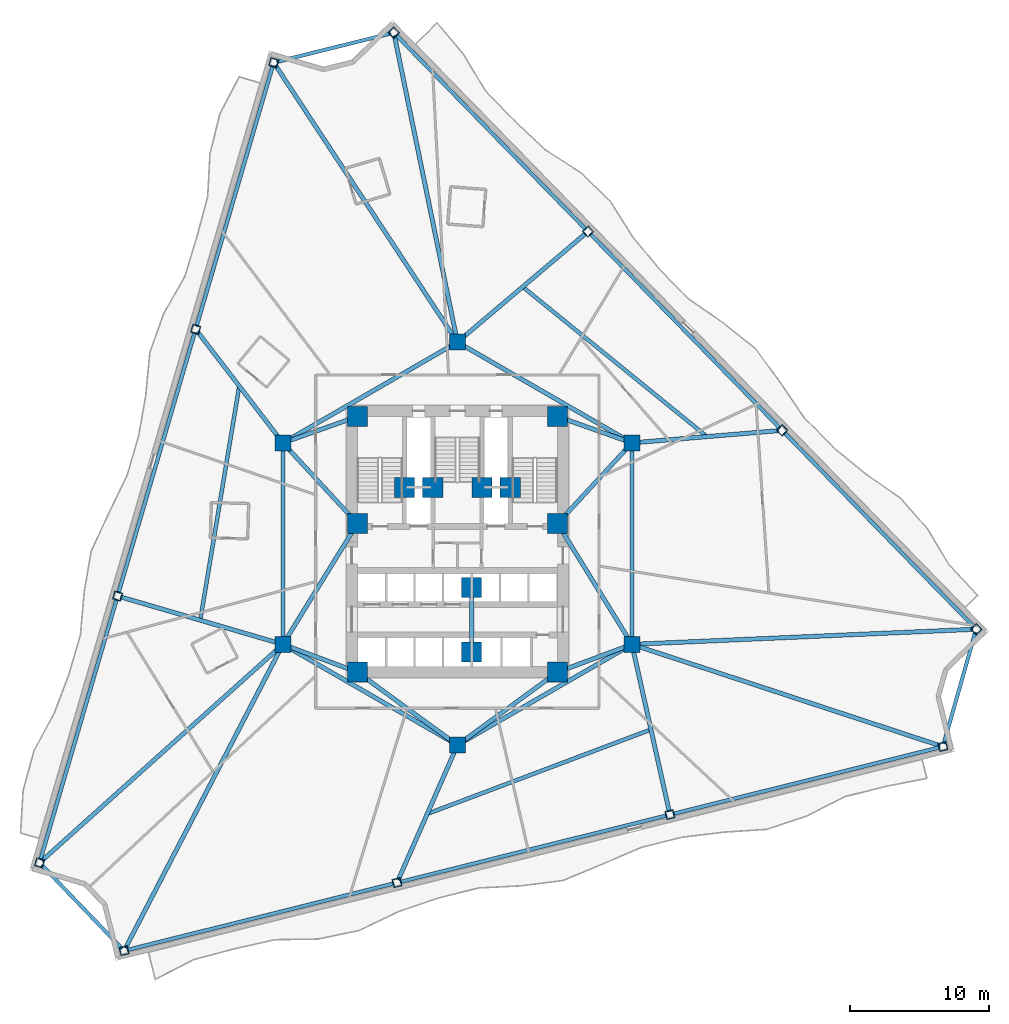
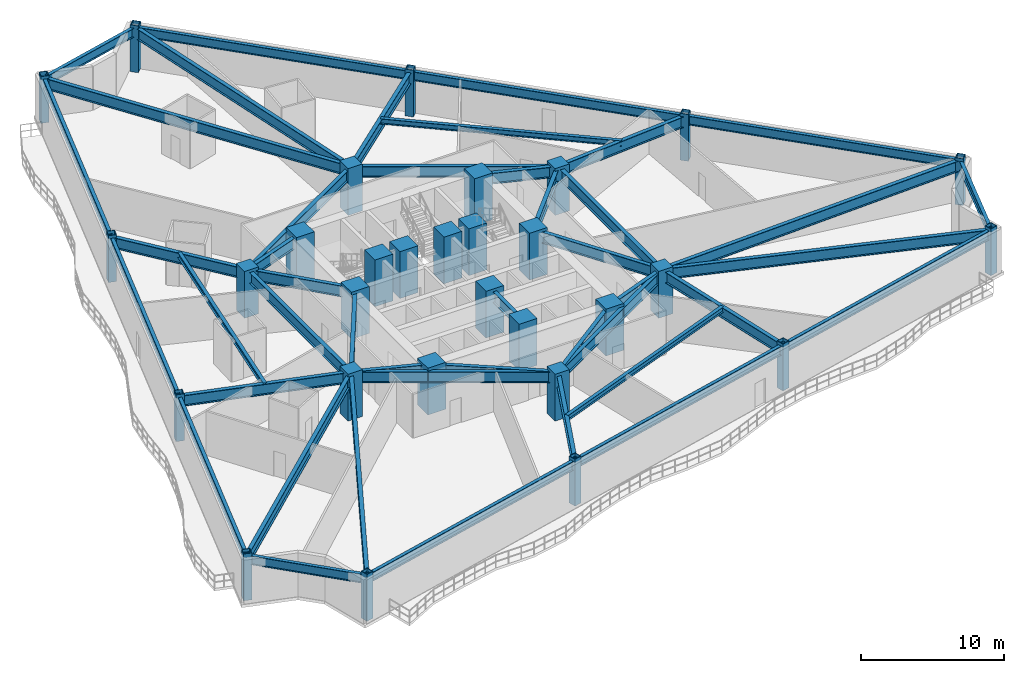
# One storey, part 1 of 10: 44 beams, 30 columns.
"""IFC4 building model written with IfcOpenShell, lengths in metres."""

import ifcopenshell
import ifcopenshell.guid

model = None  # the IFC model being written
_history = None  # IfcOwnerHistory: only IFC2X3 demands one
_inside = {}  # id of a spatial element -> (the spatial element, [elements in it])
_under = {}  # id of a project, library or spatial element -> (it, [spatial elements below it])
_declared = {}  # id of a project -> (the project, [libraries it declares])
_typed = {}  # id of a type object -> (the type object, [elements of that type])
_made_of = {}  # id of a material, layer set ... -> (it, [elements and type objects made of it])


def new_model(schema):
    """Start an empty IFC model of exactly this schema.

    Asked for "IFC4X3", IfcOpenShell would pick the latest addendum, in which some entities
    have other attributes; the version numbers below select the first issue.
    IFC2X3 requires an IfcOwnerHistory on every rooted entity: one is made here for all.
    """
    global model, _history
    if schema == "IFC4X3":
        model = ifcopenshell.file(schema_version=(4, 3, 0, 0))
    else:
        model = ifcopenshell.file(schema=schema)
    _inside.clear()
    _under.clear()
    _declared.clear()
    _typed.clear()
    _made_of.clear()
    _history = None
    if model.schema == "IFC2X3":
        org = make("IfcOrganization", Name="unknown")
        user = make(
            "IfcPersonAndOrganization",
            ThePerson=make("IfcPerson", FamilyName="unknown"),
            TheOrganization=org,
        )
        app = make(
            "IfcApplication",
            ApplicationDeveloper=org,
            Version="unknown",
            ApplicationFullName="unknown",
            ApplicationIdentifier="unknown",
        )
        _history = make(
            "IfcOwnerHistory",
            OwningUser=user,
            OwningApplication=app,
            ChangeAction="ADDED",
            CreationDate=0,
        )
    return model


def make(cls, **values):
    """One entity of the class cls with the attributes given. An attribute that is None is left unset."""
    return model.create_entity(
        cls, **{name: value for name, value in values.items() if value is not None}
    )


def rooted(cls, **values):
    """An entity with a GlobalId (a new one), such as an element, a storey or a relation."""
    return make(cls, GlobalId=ifcopenshell.guid.new(), OwnerHistory=_history, **values)


def si_unit(unit_type, name, prefix=None):
    """IfcSIUnit, for example si_unit("LENGTHUNIT", "METRE", prefix="MILLI")."""
    return make("IfcSIUnit", UnitType=unit_type, Prefix=prefix, Name=name)


def assignment(units):
    """IfcUnitAssignment: the units of a project."""
    return None if units is None else make("IfcUnitAssignment", Units=units)


def point(xyz):
    """IfcCartesianPoint."""
    return None if xyz is None else make("IfcCartesianPoint", Coordinates=xyz)


def direction(xyz):
    """IfcDirection."""
    return None if xyz is None else make("IfcDirection", DirectionRatios=xyz)


def frame(location, z_axis=None, x_axis=None):
    """IfcAxis2Placement3D, a coordinate frame: its origin and axes. An axis left out is left unset."""
    return make(
        "IfcAxis2Placement3D",
        Location=point(location),
        Axis=direction(z_axis),
        RefDirection=direction(x_axis),
    )


def frame_2d(location, x_axis=None):
    """IfcAxis2Placement2D, a coordinate frame in the plane: its origin and x axis."""
    return make(
        "IfcAxis2Placement2D", Location=point(location), RefDirection=direction(x_axis)
    )


def origin():
    """The frame at (0, 0, 0) with its axes left unset."""
    return frame((0.0, 0.0, 0.0))


def origin_2d():
    """The frame at (0, 0) in the plane with its x axis left unset."""
    return frame_2d((0.0, 0.0))


def place(relative_to, where):
    """IfcLocalPlacement: puts the frame where relative to a parent placement (None: the world)."""
    return make(
        "IfcLocalPlacement", PlacementRelTo=relative_to, RelativePlacement=where
    )


def context(
    kind, dimensions, precision=None, world=None, true_north=None, identifier=None
):
    """IfcGeometricRepresentationContext, for example the 3D "Model" context."""
    return make(
        "IfcGeometricRepresentationContext",
        ContextIdentifier=identifier,
        ContextType=kind,
        CoordinateSpaceDimension=dimensions,
        Precision=precision,
        WorldCoordinateSystem=world,
        TrueNorth=true_north,
    )


def subcontext(parent, identifier, kind, view, scale=None):
    """IfcGeometricRepresentationSubContext, for example "Body" below "Model"."""
    return make(
        "IfcGeometricRepresentationSubContext",
        ContextIdentifier=identifier,
        ContextType=kind,
        ParentContext=parent,
        TargetScale=scale,
        TargetView=view,
    )


def project(units=None, contexts=None):
    """IfcProject with its units and contexts."""
    return rooted(
        "IfcProject",
        Name="project",
        RepresentationContexts=contexts,
        UnitsInContext=assignment(units),
    )


def spatial(cls, under=None, at=None, **own):
    """A site, building, storey or space (cls), placed at a placement, below another one or the project."""
    s = rooted(cls, ObjectPlacement=at, **own)
    if under is not None:
        _under.setdefault(under.id(), (under, []))[1].append(s)
    return s


def profile(cls, at=None, kind="AREA", **sizes):
    """A parametric profile (cls). Its sizes go by their IFC names, for example OverallWidth=200.0."""
    return make(cls, ProfileType=kind, Position=at, **sizes)


def rectangle(**sizes):
    """IfcRectangleProfileDef."""
    return profile("IfcRectangleProfileDef", **sizes)


def hollow_rectangle(**sizes):
    """IfcRectangleHollowProfileDef."""
    return profile("IfcRectangleHollowProfileDef", **sizes)


def i_section(**sizes):
    """IfcIShapeProfileDef."""
    return profile("IfcIShapeProfileDef", **sizes)


def extrude(swept, where, along, depth):
    """IfcExtrudedAreaSolid: the profile swept, set in the frame where, extruded along a direction by depth."""
    return make(
        "IfcExtrudedAreaSolid",
        SweptArea=swept,
        Position=where,
        ExtrudedDirection=direction(along),
        Depth=depth,
    )


def shape(context_of_items, identifier, shape_type, items):
    """IfcShapeRepresentation: the items that make up one representation, for example the "Body"."""
    return make(
        "IfcShapeRepresentation",
        ContextOfItems=context_of_items,
        RepresentationIdentifier=identifier,
        RepresentationType=shape_type,
        Items=items,
    )


def material(Name=None, Category=None):
    """IfcMaterial."""
    return make("IfcMaterial", Name=Name, Category=Category)


def material_profile(
    of_material, cross_section, Name=None, Category=None, Priority=None
):
    """IfcMaterialProfile: a cross section and its material."""
    return make(
        "IfcMaterialProfile",
        Name=Name,
        Material=of_material,
        Profile=cross_section,
        Priority=Priority,
        Category=Category,
    )


def profile_set(profiles, Name=None, composite=None):
    """IfcMaterialProfileSet."""
    return make(
        "IfcMaterialProfileSet",
        Name=Name,
        MaterialProfiles=profiles,
        CompositeProfile=composite,
    )


def made_of(thing, what):
    """Note that an element or type object is made of a material, layer set ...; save() writes the relation."""
    if what is not None:
        _made_of.setdefault(what.id(), (what, []))[1].append(thing)
    return thing


def type_object(cls, material=None, **own):
    """A type object (cls), such as IfcWallType, which elements share."""
    return made_of(rooted(cls, **own), material)


def element(
    cls,
    number,
    at=None,
    inside=None,
    cuts=None,
    type_object=None,
    material=None,
    context=None,
    identifier="Body",
    shape_type=None,
    held_by="IfcProductDefinitionShape",
    body=None,
    shapes=None,
    **own,
):
    """One element of the class cls, such as IfcWall. Its Tag is "e" and its number.

    at: its placement. inside: the storey or other place that contains it. cuts: it is an
    opening in that element (IfcRelVoidsElement). A single representation is given by context,
    identifier, shape_type and body (its items); several are given by shapes. held_by: the class
    of the entity that holds the representations. save() writes the other relations.
    """
    e = rooted(cls, Tag="e%d" % number, ObjectPlacement=at, **own)
    if body is not None:
        shapes = [shape(context, identifier, shape_type, body)]
    if shapes is not None:
        e.Representation = make(held_by, Representations=shapes)
    if inside is not None:
        _inside.setdefault(inside.id(), (inside, []))[1].append(e)
    if cuts is not None:
        rooted(
            "IfcRelVoidsElement", RelatingBuildingElement=cuts, RelatedOpeningElement=e
        )
    if type_object is not None:
        _typed.setdefault(type_object.id(), (type_object, []))[1].append(e)
    return made_of(e, material)


def aggregate(whole, parts):
    """IfcRelAggregates: a whole, such as a stair, and the parts it consists of."""
    return rooted("IfcRelAggregates", RelatingObject=whole, RelatedObjects=parts)


def save(model, path):
    """Write the relations noted so far, then the file.

    IfcRelAggregates (storeys below a building ...), IfcRelContainedInSpatialStructure (elements
    in a storey), IfcRelDefinesByType, IfcRelAssociatesMaterial and IfcRelDeclares: one each for
    every whole, place, type object, material and project.
    """
    for whole, parts in _under.values():
        aggregate(whole, parts)
    for where, things in _inside.values():
        rooted(
            "IfcRelContainedInSpatialStructure",
            RelatedElements=things,
            RelatingStructure=where,
        )
    for kind, things in _typed.values():
        rooted("IfcRelDefinesByType", RelatedObjects=things, RelatingType=kind)
    for what, things in _made_of.values():
        rooted("IfcRelAssociatesMaterial", RelatedObjects=things, RelatingMaterial=what)
    for by, libraries in _declared.values():
        rooted("IfcRelDeclares", RelatingContext=by, RelatedDefinitions=libraries)
    model.write(path)


model = new_model("IFC4")

# Units and contexts
model_context = context("Model", 3, precision=1e-05, world=origin(), true_north=direction((0.0, 1.0)))
body_context = subcontext(model_context, "Body", "Model", "MODEL_VIEW")
ifc_project = project(units=[si_unit("LENGTHUNIT", "METRE"), si_unit("AREAUNIT", "SQUARE_METRE"), si_unit("VOLUMEUNIT", "CUBIC_METRE"), si_unit("PLANEANGLEUNIT", "RADIAN"), si_unit("MASSUNIT", "GRAM", prefix="KILO")], contexts=[model_context])

# Site, building, storey
site_placement = place(None, origin())
site = spatial("IfcSite", under=ifc_project, at=site_placement, CompositionType="ELEMENT")
building_placement = place(site_placement, origin())
building = spatial("IfcBuilding", under=site, at=building_placement, Name="Apsidion Concourse Tower", CompositionType="ELEMENT")
storey_placement = place(building_placement, frame((0.0, 0.0, 107.0)))
storey = spatial("IfcBuildingStorey", under=building, at=storey_placement, Name="L24", CompositionType="ELEMENT", Elevation=107.0)

# Columns
ifc_material_1 = material(Name="Structural steel ASTM A572 Grade 50", Category="steel")
ifc_material_profile_1 = material_profile(ifc_material_1, hollow_rectangle(XDim=0.60009765625, YDim=0.60009765625, WallThickness=0.0400390625, at=origin_2d()), Name="BOX600X600X40")
ifc_profile_set_1 = profile_set([ifc_material_profile_1], Name="Structural steel ASTM A572 Grade 50")
column_type_1 = type_object("IfcColumnType", Name="COL-BOX-600", PredefinedType="COLUMN", material=ifc_profile_set_1)
for number, where, z_axis, x_axis, name in (
    (1, (-13.221435546875, 34.61669921875, 0.0), (0.0, 0.0, 1.0), (0.28083422227, 0.959756291775, 0.0), "L24 Rotated Perimeter Column PC01"),
    (2, (-18.839111328125, 15.422119140625, 0.0), (0.0, 0.0, 1.0), (0.28083422227, 0.959756291775, 0.0), "L24 Rotated Perimeter Column PC02"),
    (3, (-24.45703125, -3.772705078125, 0.0), (0.0, 0.0, 1.0), (0.28083422227, 0.959756291775, 0.0), "L24 Rotated Perimeter Column PC03"),
    (4, (-30.074951171875, -22.96728515625, 0.0), (0.0, 0.0, 1.0), (0.28083422227, 0.959756291775, 0.0), "L24 Rotated Perimeter Column PC04"),
    (5, (-23.9912109375, -29.302001953125, 0.0), (0.0, 0.0, 1.0), (0.970295726276, 0.2419218956, 0.0), "L24 Rotated Perimeter Column PC05"),
    (6, (-4.34765625, -24.404296875, 0.0), (0.0, 0.0, 1.0), (0.970295726276, 0.2419218956, 0.0), "L24 Rotated Perimeter Column PC06"),
    (7, (15.2958984375, -19.506591796875, 0.0), (0.0, 0.0, 1.0), (0.970295726276, 0.2419218956, 0.0), "L24 Rotated Perimeter Column PC07"),
    (8, (34.939208984375, -14.60888671875, 0.0), (0.0, 0.0, 1.0), (0.970295726276, 0.2419218956, 0.0), "L24 Rotated Perimeter Column PC08"),
    (9, (37.337158203125, -6.15966796875, 0.0), (0.0, 0.0, 1.0), (-0.698540186739, 0.715570826341, 0.0), "L24 Rotated Perimeter Column PC09"),
    (10, (23.365478515625, 8.15087890625, 0.0), (0.0, 0.0, 1.0), (-0.698540186739, 0.715570826341, 0.0), "L24 Rotated Perimeter Column PC10"),
    (11, (9.393798828125, 22.461181640625, 0.0), (0.0, 0.0, 1.0), (-0.698540186739, 0.715570826341, 0.0), "L24 Rotated Perimeter Column PC11"),
    (12, (-4.57763671875, 36.771728515625, 0.0), (0.0, 0.0, 1.0), (-0.698540186739, 0.715570826341, 0.0), "L24 Rotated Perimeter Column PC12"),
):
    element("IfcColumn", number, at=place(storey_placement, frame(where, z_axis=z_axis, x_axis=x_axis)), inside=storey, type_object=column_type_1, Name=name, PredefinedType="COLUMN", context=body_context, shape_type="SweptSolid", body=[
        extrude(hollow_rectangle(XDim=0.60009765625, YDim=0.60009765625, WallThickness=0.0400390625, at=origin_2d()), origin(), (0.0, 0.0, 1.0), 4.0),
    ])
ifc_material_2 = material(Name="Concrete C50/60", Category="concrete")
ifc_material_profile_2 = material_profile(ifc_material_2, rectangle(XDim=1.14990234375, YDim=1.14990234375, at=origin_2d()), Name="RC 1150x1150")
ifc_profile_set_2 = profile_set([ifc_material_profile_2], Name="Concrete C50/60")
column_type_2 = type_object("IfcColumnType", Name="COL-RC-1150", PredefinedType="COLUMN", material=ifc_profile_set_2)
for number, where, z_axis, x_axis, name in (
    (13, (-12.56005859375, -7.25, 0.0), (0.0, 0.0, 1.0), (1.0, 0.0, 0.0), "L24 Interior Spine Column IC1"),
    (14, (12.56005859375, -7.25, 0.0), (0.0, 0.0, 1.0), (1.0, 0.0, 0.0), "L24 Interior Spine Column IC2"),
    (15, (12.56005859375, 7.25, 0.0), (0.0, 0.0, 1.0), (1.0, 0.0, 0.0), "L24 Interior Spine Column IC3"),
    (16, (0.0, 14.5, 0.0), (0.0, 0.0, 1.0), (1.0, 0.0, 0.0), "L24 Interior Spine Column IC4"),
    (17, (-12.56005859375, 7.25, 0.0), (0.0, 0.0, 1.0), (1.0, 0.0, 0.0), "L24 Interior Spine Column IC5"),
    (18, (0.0, -14.5, 0.0), (0.0, 0.0, 1.0), (1.0, 0.0, 0.0), "L24 Interior Spine Column IC6"),
):
    element("IfcColumn", number, at=place(storey_placement, frame(where, z_axis=z_axis, x_axis=x_axis)), inside=storey, type_object=column_type_2, Name=name, PredefinedType="COLUMN", context=body_context, shape_type="SweptSolid", body=[
        extrude(rectangle(XDim=1.14990234375, YDim=1.14990234375, at=origin_2d()), origin(), (0.0, 0.0, 1.0), 4.0),
    ])
ifc_material_3 = material(Name="Concrete C60/75", Category="concrete")
ifc_material_profile_3 = material_profile(ifc_material_3, rectangle(XDim=1.449951171875, YDim=1.449951171875, at=origin_2d()), Name="RC 1450x1450")
ifc_profile_set_3 = profile_set([ifc_material_profile_3], Name="Concrete C60/75")
column_type_3 = type_object("IfcColumnType", Name="COL-RC-1450", PredefinedType="COLUMN", material=ifc_profile_set_3)
for number, where, z_axis, x_axis, name in (
    (19, (-7.199951171875, -9.25, 0.0), (0.0, 0.0, 1.0), (1.0, 0.0, 0.0), "L24 Core Super-Column SC1"),
    (20, (7.199951171875, -9.25, 0.0), (0.0, 0.0, 1.0), (1.0, 0.0, 0.0), "L24 Core Super-Column SC2"),
    (21, (7.199951171875, 1.449951171875, 0.0), (0.0, 0.0, 1.0), (1.0, 0.0, 0.0), "L24 Core Super-Column SC3"),
    (22, (7.199951171875, 9.14990234375, 0.0), (0.0, 0.0, 1.0), (1.0, 0.0, 0.0), "L24 Core Super-Column SC4"),
    (23, (-7.199951171875, 9.14990234375, 0.0), (0.0, 0.0, 1.0), (1.0, 0.0, 0.0), "L24 Core Super-Column SC5"),
    (24, (-7.199951171875, 1.449951171875, 0.0), (0.0, 0.0, 1.0), (1.0, 0.0, 0.0), "L24 Core Super-Column SC6"),
    (25, (-3.800048828125, 4.050048828125, 0.0), (0.0, 0.0, 1.0), (1.0, 0.0, 0.0), "L24 Core Super-Column CC1"),
    (26, (3.800048828125, 4.050048828125, 0.0), (0.0, 0.0, 1.0), (1.0, 0.0, 0.0), "L24 Core Super-Column CC2"),
    (27, (-1.77490234375, 4.050048828125, 0.0), (0.0, 0.0, 1.0), (1.0, 0.0, 0.0), "L24 Core Super-Column CC3"),
    (28, (1.77490234375, 4.050048828125, 0.0), (0.0, 0.0, 1.0), (1.0, 0.0, 0.0), "L24 Core Super-Column CC4"),
    (29, (1.02490234375, -3.14990234375, 0.0), (0.0, 0.0, 1.0), (1.0, 0.0, 0.0), "L24 Core Super-Column CC5"),
    (30, (1.02490234375, -7.800048828125, 0.0), (0.0, 0.0, 1.0), (1.0, 0.0, 0.0), "L24 Core Super-Column CC6"),
):
    element("IfcColumn", number, at=place(storey_placement, frame(where, z_axis=z_axis, x_axis=x_axis)), inside=storey, type_object=column_type_3, Name=name, PredefinedType="COLUMN", context=body_context, shape_type="SweptSolid", body=[
        extrude(rectangle(XDim=1.449951171875, YDim=1.449951171875, at=origin_2d()), origin(), (0.0, 0.0, 1.0), 4.0),
    ])

# Beams
ifc_material_4 = material(Name="Structural steel ASTM A992 Grade 50", Category="steel")
ifc_material_profile_4 = material_profile(ifc_material_4, i_section(OverallWidth=0.280029296875, OverallDepth=0.462890625, WebThickness=0.0107421875, FlangeThickness=0.017333984375, at=origin_2d()), Name="W18X76")
ifc_profile_set_4 = profile_set([ifc_material_profile_4], Name="Structural steel ASTM A992 Grade 50")
beam_type_1 = type_object("IfcBeamType", Name="BM-FL-W18M", PredefinedType="BEAM", material=ifc_profile_set_4)
beam_1_placement = place(storey_placement, frame((-15.69970703125, 11.3359375, 3.5185546875), z_axis=(-0.164452299767, -0.986385036941, 0.0), x_axis=(0.986385036941, -0.164452299767, 0.0)))
element("IfcBeam", 31, at=beam_1_placement, inside=storey, type_object=beam_type_1, Name="L24 Secondary Floor Beam SEC-F1", PredefinedType="BEAM", context=body_context, shape_type="SweptSolid", body=[
    extrude(i_section(OverallWidth=0.280029296875, OverallDepth=0.462890625, WebThickness=0.0107421875, FlangeThickness=0.017333984375, at=origin_2d()), origin(), (0.0, 0.0, 1.0), 17.079833984375),
])
beam_2_placement = place(storey_placement, frame((-2.173828125, -19.4521484375, 3.5185546875), z_axis=(0.935648218448, 0.352934004193, 0.0), x_axis=(-0.352934004193, 0.935648218448, 0.0)))
element("IfcBeam", 32, at=beam_2_placement, inside=storey, type_object=beam_type_1, Name="L24 Secondary Floor Beam SEC-F2", PredefinedType="BEAM", context=body_context, shape_type="SweptSolid", body=[
    extrude(i_section(OverallWidth=0.280029296875, OverallDepth=0.462890625, WebThickness=0.0107421875, FlangeThickness=0.017333984375, at=origin_2d()), origin(), (0.0, 0.0, 1.0), 17.209228515625),
])
beam_3_placement = place(storey_placement, frame((17.962646484375, 7.700439453125, 3.5185546875), z_axis=(-0.776058076577, 0.630661447831, 0.0), x_axis=(-0.630661447831, -0.776058076577, 0.0)))
element("IfcBeam", 33, at=beam_3_placement, inside=storey, type_object=beam_type_1, Name="L24 Secondary Floor Beam SEC-F3", PredefinedType="BEAM", context=body_context, shape_type="SweptSolid", body=[
    extrude(i_section(OverallWidth=0.280029296875, OverallDepth=0.462890625, WebThickness=0.0107421875, FlangeThickness=0.017333984375, at=origin_2d()), origin(), (0.0, 0.0, 1.0), 17.093505859375),
])
ifc_material_profile_5 = material_profile(ifc_material_4, i_section(OverallWidth=0.31005859375, OverallDepth=0.931884765625, WebThickness=0.02099609375, FlangeThickness=0.034423828125, at=origin_2d()), Name="W36X210")
ifc_profile_set_5 = profile_set([ifc_material_profile_5], Name="Structural steel ASTM A992 Grade 50")
beam_type_2 = type_object("IfcBeamType", Name="BM-G-W36", PredefinedType="USERDEFINED", material=ifc_profile_set_5)
beam_4_placement = place(storey_placement, frame((-12.185302734375, -7.389892578125, 3.283935546875), z_axis=(0.936913021145, -0.349562570664, 0.0), x_axis=(0.349562570664, 0.936913021145, 0.0)))
element("IfcBeam", 34, at=beam_4_placement, inside=storey, type_object=beam_type_2, Name="L24 Core Coupling Girder IC1-SC1", ObjectType="GIRDER", PredefinedType="USERDEFINED", context=body_context, shape_type="SweptSolid", body=[
    extrude(i_section(OverallWidth=0.31005859375, OverallDepth=0.931884765625, WebThickness=0.02099609375, FlangeThickness=0.034423828125, at=origin_2d()), origin(), (0.0, 0.0, 1.0), 4.921142578125),
])
beam_5_placement = place(storey_placement, frame((-12.35009765625, -6.909423828125, 3.283935546875), z_axis=(0.524524009763, 0.851395656074, 0.0), x_axis=(-0.851395656074, 0.524524009763, 0.0)))
element("IfcBeam", 35, at=beam_5_placement, inside=storey, type_object=beam_type_2, Name="L24 Core Coupling Girder IC1-SC6", ObjectType="GIRDER", PredefinedType="USERDEFINED", context=body_context, shape_type="SweptSolid", body=[
    extrude(i_section(OverallWidth=0.31005859375, OverallDepth=0.931884765625, WebThickness=0.02099609375, FlangeThickness=0.034423828125, at=origin_2d()), origin(), (0.0, 0.0, 1.0), 9.41845703125),
])
beam_6_placement = place(storey_placement, frame((12.185302734375, -7.389892578125, 3.283935546875), z_axis=(-0.936913021145, -0.349562570664, 0.0), x_axis=(0.349562570664, -0.936913021145, 0.0)))
element("IfcBeam", 36, at=beam_6_placement, inside=storey, type_object=beam_type_2, Name="L24 Core Coupling Girder IC2-SC2", ObjectType="GIRDER", PredefinedType="USERDEFINED", context=body_context, shape_type="SweptSolid", body=[
    extrude(i_section(OverallWidth=0.31005859375, OverallDepth=0.931884765625, WebThickness=0.02099609375, FlangeThickness=0.034423828125, at=origin_2d()), origin(), (0.0, 0.0, 1.0), 4.921142578125),
])
beam_7_placement = place(storey_placement, frame((12.35009765625, -6.909423828125, 3.283935546875), z_axis=(-0.524524009763, 0.851395656074, 0.0), x_axis=(-0.851395656074, -0.524524009763, 0.0)))
element("IfcBeam", 37, at=beam_7_placement, inside=storey, type_object=beam_type_2, Name="L24 Core Coupling Girder IC2-SC3", ObjectType="GIRDER", PredefinedType="USERDEFINED", context=body_context, shape_type="SweptSolid", body=[
    extrude(i_section(OverallWidth=0.31005859375, OverallDepth=0.931884765625, WebThickness=0.02099609375, FlangeThickness=0.034423828125, at=origin_2d()), origin(), (0.0, 0.0, 1.0), 9.41845703125),
])
beam_8_placement = place(storey_placement, frame((12.28857421875, 6.956298828125, 3.283935546875), z_axis=(-0.678712876106, -0.73440372535, 0.0), x_axis=(0.73440372535, -0.678712876106, 0.0)))
element("IfcBeam", 38, at=beam_8_placement, inside=storey, type_object=beam_type_2, Name="L24 Core Coupling Girder IC3-SC3", ObjectType="GIRDER", PredefinedType="USERDEFINED", context=body_context, shape_type="SweptSolid", body=[
    extrude(i_section(OverallWidth=0.31005859375, OverallDepth=0.931884765625, WebThickness=0.02099609375, FlangeThickness=0.034423828125, at=origin_2d()), origin(), (0.0, 0.0, 1.0), 7.097412109375),
])
beam_9_placement = place(storey_placement, frame((12.18310546875, 7.383544921875, 3.283935546875), z_axis=(-0.942533844539, 0.334110688094, 0.0), x_axis=(-0.334110688094, -0.942533844539, 0.0)))
element("IfcBeam", 39, at=beam_9_placement, inside=storey, type_object=beam_type_2, Name="L24 Core Coupling Girder IC3-SC4", ObjectType="GIRDER", PredefinedType="USERDEFINED", context=body_context, shape_type="SweptSolid", body=[
    extrude(i_section(OverallWidth=0.31005859375, OverallDepth=0.931884765625, WebThickness=0.02099609375, FlangeThickness=0.034423828125, at=origin_2d()), origin(), (0.0, 0.0, 1.0), 4.886962890625),
])
beam_10_placement = place(storey_placement, frame((-12.28857421875, 6.956298828125, 3.283935546875), z_axis=(0.678712876106, -0.73440372535, 0.0), x_axis=(0.73440372535, 0.678712876106, 0.0)))
element("IfcBeam", 40, at=beam_10_placement, inside=storey, type_object=beam_type_2, Name="L24 Core Coupling Girder IC5-SC6", ObjectType="GIRDER", PredefinedType="USERDEFINED", context=body_context, shape_type="SweptSolid", body=[
    extrude(i_section(OverallWidth=0.31005859375, OverallDepth=0.931884765625, WebThickness=0.02099609375, FlangeThickness=0.034423828125, at=origin_2d()), origin(), (0.0, 0.0, 1.0), 7.097412109375),
])
beam_11_placement = place(storey_placement, frame((-12.18310546875, 7.383544921875, 3.283935546875), z_axis=(0.942533844539, 0.334110688094, 0.0), x_axis=(-0.334110688094, 0.942533844539, 0.0)))
element("IfcBeam", 41, at=beam_11_placement, inside=storey, type_object=beam_type_2, Name="L24 Core Coupling Girder IC5-SC5", ObjectType="GIRDER", PredefinedType="USERDEFINED", context=body_context, shape_type="SweptSolid", body=[
    extrude(i_section(OverallWidth=0.31005859375, OverallDepth=0.931884765625, WebThickness=0.02099609375, FlangeThickness=0.034423828125, at=origin_2d()), origin(), (0.0, 0.0, 1.0), 4.886962890625),
])
for number, where, z_axis, x_axis, name in (
    (42, (-0.3232421875, -14.264404296875, 3.283935546875), (-0.807993498909, 0.589191399905, 0.0), (-0.589191399905, -0.807993498909, 0.0), "L24 Core Coupling Girder IC6-SC1"),
    (43, (0.3232421875, -14.264404296875, 3.283935546875), (0.807993498909, 0.589191399905, 0.0), (-0.589191399905, 0.807993498909, 0.0), "L24 Core Coupling Girder IC6-SC2"),
):
    element("IfcBeam", number, at=place(storey_placement, frame(where, z_axis=z_axis, x_axis=x_axis)), inside=storey, type_object=beam_type_2, Name=name, ObjectType="GIRDER", PredefinedType="USERDEFINED", context=body_context, shape_type="SweptSolid", body=[
        extrude(i_section(OverallWidth=0.31005859375, OverallDepth=0.931884765625, WebThickness=0.02099609375, FlangeThickness=0.034423828125, at=origin_2d()), origin(), (0.0, 0.0, 1.0), 8.11083984375),
    ])
beam_12_placement = place(storey_placement, frame((-12.56005859375, -6.85009765625, 3.283935546875), z_axis=(0.0, 1.0, 0.0), x_axis=(-1.0, 0.0, 0.0)))
element("IfcBeam", 44, at=beam_12_placement, inside=storey, type_object=beam_type_2, Name="L24 Core Coupling Girder IC1-IC5", ObjectType="GIRDER", PredefinedType="USERDEFINED", context=body_context, shape_type="SweptSolid", body=[
    extrude(i_section(OverallWidth=0.31005859375, OverallDepth=0.931884765625, WebThickness=0.02099609375, FlangeThickness=0.034423828125, at=origin_2d()), origin(), (0.0, 0.0, 1.0), 13.7001953125),
])
for number, where, z_axis, x_axis, name in (
    (45, (-12.213623046875, 7.449951171875, 3.283935546875), (0.866070471464, 0.499921932364, 0.0), (-0.499921932364, 0.866070471464, 0.0), "L24 Core Coupling Girder IC5-IC4"),
    (46, (0.346435546875, 14.300048828125, 3.283935546875), (0.866070471464, -0.499921932364, 0.0), (0.499921932364, 0.866070471464, 0.0), "L24 Core Coupling Girder IC4-IC3"),
):
    element("IfcBeam", number, at=place(storey_placement, frame(where, z_axis=z_axis, x_axis=x_axis)), inside=storey, type_object=beam_type_2, Name=name, ObjectType="GIRDER", PredefinedType="USERDEFINED", context=body_context, shape_type="SweptSolid", body=[
        extrude(i_section(OverallWidth=0.31005859375, OverallDepth=0.931884765625, WebThickness=0.02099609375, FlangeThickness=0.034423828125, at=origin_2d()), origin(), (0.0, 0.0, 1.0), 13.702392578125),
    ])
beam_13_placement = place(storey_placement, frame((12.56005859375, 6.85009765625, 3.283935546875), z_axis=(0.0, -1.0, 0.0), x_axis=(1.0, 0.0, 0.0)))
element("IfcBeam", 47, at=beam_13_placement, inside=storey, type_object=beam_type_2, Name="L24 Core Coupling Girder IC3-IC2", ObjectType="GIRDER", PredefinedType="USERDEFINED", context=body_context, shape_type="SweptSolid", body=[
    extrude(i_section(OverallWidth=0.31005859375, OverallDepth=0.931884765625, WebThickness=0.02099609375, FlangeThickness=0.034423828125, at=origin_2d()), origin(), (0.0, 0.0, 1.0), 13.7001953125),
])
for number, where, z_axis, x_axis, name in (
    (48, (12.213623046875, -7.449951171875, 3.283935546875), (-0.866070471464, -0.499921932364, 0.0), (0.499921932364, -0.866070471464, 0.0), "L24 Core Coupling Girder IC2-IC6"),
    (49, (-0.346435546875, -14.300048828125, 3.283935546875), (-0.866070471464, 0.499921932364, 0.0), (-0.499921932364, -0.866070471464, 0.0), "L24 Core Coupling Girder IC6-IC1"),
):
    element("IfcBeam", number, at=place(storey_placement, frame(where, z_axis=z_axis, x_axis=x_axis)), inside=storey, type_object=beam_type_2, Name=name, ObjectType="GIRDER", PredefinedType="USERDEFINED", context=body_context, shape_type="SweptSolid", body=[
        extrude(i_section(OverallWidth=0.31005859375, OverallDepth=0.931884765625, WebThickness=0.02099609375, FlangeThickness=0.034423828125, at=origin_2d()), origin(), (0.0, 0.0, 1.0), 13.702392578125),
    ])
beam_14_placement = place(storey_placement, frame((1.02490234375, -3.550048828125, 3.283935546875), z_axis=(0.0, -1.0, 0.0), x_axis=(1.0, 0.0, 0.0)))
element("IfcBeam", 50, at=beam_14_placement, inside=storey, type_object=beam_type_2, Name="L24 Core Coupling Girder CC5-CC6", ObjectType="GIRDER", PredefinedType="USERDEFINED", context=body_context, shape_type="SweptSolid", body=[
    extrude(i_section(OverallWidth=0.31005859375, OverallDepth=0.931884765625, WebThickness=0.02099609375, FlangeThickness=0.034423828125, at=origin_2d()), origin(), (0.0, 0.0, 1.0), 3.849853515625),
])
beam_15_placement = place(storey_placement, frame((-0.120849609375, 14.683837890625, 3.283935546875), z_axis=(-0.549231276492, 0.835670392513, 0.0), x_axis=(-0.835670392513, -0.549231276492, 0.0)))
element("IfcBeam", 51, at=beam_15_placement, inside=storey, type_object=beam_type_2, Name="L24 Radial Floor Girder RAD-01", ObjectType="GIRDER", PredefinedType="USERDEFINED", context=body_context, shape_type="SweptSolid", body=[
    extrude(i_section(OverallWidth=0.31005859375, OverallDepth=0.931884765625, WebThickness=0.02099609375, FlangeThickness=0.034423828125, at=origin_2d()), origin(), (0.0, 0.0, 1.0), 23.632568359375),
])
beam_16_placement = place(storey_placement, frame((-12.694091796875, 7.42431640625, 3.283935546875), z_axis=(-0.609271770486, 0.792961480583, 0.0), x_axis=(-0.792961480583, -0.609271770486, 0.0)))
element("IfcBeam", 52, at=beam_16_placement, inside=storey, type_object=beam_type_2, Name="L24 Radial Floor Girder RAD-02", ObjectType="GIRDER", PredefinedType="USERDEFINED", context=body_context, shape_type="SweptSolid", body=[
    extrude(i_section(OverallWidth=0.31005859375, OverallDepth=0.931884765625, WebThickness=0.02099609375, FlangeThickness=0.034423828125, at=origin_2d()), origin(), (0.0, 0.0, 1.0), 9.865966796875),
])
beam_17_placement = place(storey_placement, frame((-12.771240234375, -7.188232421875, 3.283935546875), z_axis=(-0.959842483231, 0.28053949345, 0.0), x_axis=(-0.28053949345, -0.959842483231, 0.0)))
element("IfcBeam", 53, at=beam_17_placement, inside=storey, type_object=beam_type_2, Name="L24 Radial Floor Girder RAD-03", ObjectType="GIRDER", PredefinedType="USERDEFINED", context=body_context, shape_type="SweptSolid", body=[
    extrude(i_section(OverallWidth=0.31005859375, OverallDepth=0.931884765625, WebThickness=0.02099609375, FlangeThickness=0.034423828125, at=origin_2d()), origin(), (0.0, 0.0, 1.0), 11.95458984375),
])
beam_18_placement = place(storey_placement, frame((-12.7236328125, -7.39697265625, 3.283935546875), z_axis=(-0.744271119318, -0.667877609259, 0.0), x_axis=(0.667877609259, -0.744271119318, 0.0)))
element("IfcBeam", 54, at=beam_18_placement, inside=storey, type_object=beam_type_2, Name="L24 Radial Floor Girder RAD-04", ObjectType="GIRDER", PredefinedType="USERDEFINED", context=body_context, shape_type="SweptSolid", body=[
    extrude(i_section(OverallWidth=0.31005859375, OverallDepth=0.931884765625, WebThickness=0.02099609375, FlangeThickness=0.034423828125, at=origin_2d()), origin(), (0.0, 0.0, 1.0), 23.093017578125),
])
beam_19_placement = place(storey_placement, frame((-12.6611328125, -7.4453125, 3.283935546875), z_axis=(-0.460218148247, -0.88780586618, 0.0), x_axis=(0.88780586618, -0.460218148247, 0.0)))
element("IfcBeam", 55, at=beam_19_placement, inside=storey, type_object=beam_type_2, Name="L24 Radial Floor Girder RAD-05", ObjectType="GIRDER", PredefinedType="USERDEFINED", context=body_context, shape_type="SweptSolid", body=[
    extrude(i_section(OverallWidth=0.31005859375, OverallDepth=0.931884765625, WebThickness=0.02099609375, FlangeThickness=0.034423828125, at=origin_2d()), origin(), (0.0, 0.0, 1.0), 24.398681640625),
])
beam_20_placement = place(storey_placement, frame((-0.08837890625, -14.701416015625, 3.283935546875), z_axis=(-0.401951572059, -0.915660927265, 0.0), x_axis=(0.915660927265, -0.401951572059, 0.0)))
element("IfcBeam", 56, at=beam_20_placement, inside=storey, type_object=beam_type_2, Name="L24 Radial Floor Girder RAD-06", ObjectType="GIRDER", PredefinedType="USERDEFINED", context=body_context, shape_type="SweptSolid", body=[
    extrude(i_section(OverallWidth=0.31005859375, OverallDepth=0.931884765625, WebThickness=0.02099609375, FlangeThickness=0.034423828125, at=origin_2d()), origin(), (0.0, 0.0, 1.0), 10.376708984375),
])
beam_21_placement = place(storey_placement, frame((12.60791015625, -7.464599609375, 3.283935546875), z_axis=(0.217841210103, -0.975984224863, 0.0), x_axis=(0.975984224863, 0.217841210103, 0.0)))
element("IfcBeam", 57, at=beam_21_placement, inside=storey, type_object=beam_type_2, Name="L24 Radial Floor Girder RAD-07", ObjectType="GIRDER", PredefinedType="USERDEFINED", context=body_context, shape_type="SweptSolid", body=[
    extrude(i_section(OverallWidth=0.31005859375, OverallDepth=0.931884765625, WebThickness=0.02099609375, FlangeThickness=0.034423828125, at=origin_2d()), origin(), (0.0, 0.0, 1.0), 12.118408203125),
])
beam_22_placement = place(storey_placement, frame((12.76904296875, -7.318603515625, 3.283935546875), z_axis=(0.949956513511, -0.312382173687, 0.0), x_axis=(0.312382173687, 0.949956513511, 0.0)))
element("IfcBeam", 58, at=beam_22_placement, inside=storey, type_object=beam_type_2, Name="L24 Radial Floor Girder RAD-08", ObjectType="GIRDER", PredefinedType="USERDEFINED", context=body_context, shape_type="SweptSolid", body=[
    extrude(i_section(OverallWidth=0.31005859375, OverallDepth=0.931884765625, WebThickness=0.02099609375, FlangeThickness=0.034423828125, at=origin_2d()), origin(), (0.0, 0.0, 1.0), 23.1181640625),
])
beam_23_placement = place(storey_placement, frame((12.77978515625, -7.240234375, 3.283935546875), z_axis=(0.999033044111, 0.043965631729, 0.0), x_axis=(-0.043965631729, 0.999033044111, 0.0)))
element("IfcBeam", 59, at=beam_23_placement, inside=storey, type_object=beam_type_2, Name="L24 Radial Floor Girder RAD-09", ObjectType="GIRDER", PredefinedType="USERDEFINED", context=body_context, shape_type="SweptSolid", body=[
    extrude(i_section(OverallWidth=0.31005859375, OverallDepth=0.931884765625, WebThickness=0.02099609375, FlangeThickness=0.034423828125, at=origin_2d()), origin(), (0.0, 0.0, 1.0), 24.36083984375),
])
beam_24_placement = place(storey_placement, frame((12.779296875, 7.268310546875, 3.283935546875), z_axis=(0.996543006218, 0.083078497563, 0.0), x_axis=(-0.083078497563, 0.996543006218, 0.0)))
element("IfcBeam", 60, at=beam_24_placement, inside=storey, type_object=beam_type_2, Name="L24 Radial Floor Girder RAD-10", ObjectType="GIRDER", PredefinedType="USERDEFINED", context=body_context, shape_type="SweptSolid", body=[
    extrude(i_section(OverallWidth=0.31005859375, OverallDepth=0.931884765625, WebThickness=0.02099609375, FlangeThickness=0.034423828125, at=origin_2d()), origin(), (0.0, 0.0, 1.0), 10.40283203125),
])
beam_25_placement = place(storey_placement, frame((0.167724609375, 14.64208984375, 3.283935546875), z_axis=(0.762877552184, 0.646542991899, 0.0), x_axis=(-0.646542991899, 0.762877552184, 0.0)))
element("IfcBeam", 61, at=beam_25_placement, inside=storey, type_object=beam_type_2, Name="L24 Radial Floor Girder RAD-11", ObjectType="GIRDER", PredefinedType="USERDEFINED", context=body_context, shape_type="SweptSolid", body=[
    extrude(i_section(OverallWidth=0.31005859375, OverallDepth=0.931884765625, WebThickness=0.02099609375, FlangeThickness=0.034423828125, at=origin_2d()), origin(), (0.0, 0.0, 1.0), 11.8740234375),
])
beam_26_placement = place(storey_placement, frame((-0.044189453125, 14.715576171875, 3.283935546875), z_axis=(-0.201337476768, 0.979521934644, 0.0), x_axis=(-0.979521934644, -0.201337476768, 0.0)))
element("IfcBeam", 62, at=beam_26_placement, inside=storey, type_object=beam_type_2, Name="L24 Radial Floor Girder RAD-12", ObjectType="GIRDER", PredefinedType="USERDEFINED", context=body_context, shape_type="SweptSolid", body=[
    extrude(i_section(OverallWidth=0.31005859375, OverallDepth=0.931884765625, WebThickness=0.02099609375, FlangeThickness=0.034423828125, at=origin_2d()), origin(), (0.0, 0.0, 1.0), 22.297119140625),
])
ifc_material_profile_6 = material_profile(ifc_material_4, i_section(OverallWidth=0.26806640625, OverallDepth=0.77001953125, WebThickness=0.015625, FlangeThickness=0.025390625, at=origin_2d()), Name="W30X132")
ifc_profile_set_6 = profile_set([ifc_material_profile_6], Name="Structural steel ASTM A992 Grade 50")
beam_type_3 = type_object("IfcBeamType", Name="BM-SP-W30", PredefinedType="SPANDREL", material=ifc_profile_set_6)
beam_27_placement = place(storey_placement, frame((-13.283203125, 34.405517578125, 3.364990234375), z_axis=(-0.280887536845, -0.959740689793, 0.0), x_axis=(0.959740689793, -0.280887536845, 0.0)))
element("IfcBeam", 63, at=beam_27_placement, inside=storey, type_object=beam_type_3, Name="L24 Perimeter Spandrel Girder SP-01", PredefinedType="SPANDREL", context=body_context, shape_type="SweptSolid", body=[
    extrude(i_section(OverallWidth=0.26806640625, OverallDepth=0.77001953125, WebThickness=0.015625, FlangeThickness=0.025390625, at=origin_2d()), origin(), (0.0, 0.0, 1.0), 19.559814453125),
])
beam_28_placement = place(storey_placement, frame((-18.90087890625, 15.2109375, 3.364990234375), z_axis=(-0.28089903368, -0.959737324937, 0.0), x_axis=(0.959737324937, -0.28089903368, 0.0)))
element("IfcBeam", 64, at=beam_28_placement, inside=storey, type_object=beam_type_3, Name="L24 Perimeter Spandrel Girder SP-02", PredefinedType="SPANDREL", context=body_context, shape_type="SweptSolid", body=[
    extrude(i_section(OverallWidth=0.26806640625, OverallDepth=0.77001953125, WebThickness=0.015625, FlangeThickness=0.025390625, at=origin_2d()), origin(), (0.0, 0.0, 1.0), 19.56005859375),
])
beam_29_placement = place(storey_placement, frame((-24.518798828125, -3.98388671875, 3.364990234375), z_axis=(-0.280902398632, -0.959736340066, 0.0), x_axis=(0.959736340066, -0.280902398632, 0.0)))
element("IfcBeam", 65, at=beam_29_placement, inside=storey, type_object=beam_type_3, Name="L24 Perimeter Spandrel Girder SP-03", PredefinedType="SPANDREL", context=body_context, shape_type="SweptSolid", body=[
    extrude(i_section(OverallWidth=0.26806640625, OverallDepth=0.77001953125, WebThickness=0.015625, FlangeThickness=0.025390625, at=origin_2d()), origin(), (0.0, 0.0, 1.0), 19.559814453125),
])
beam_30_placement = place(storey_placement, frame((-29.922607421875, -23.1259765625, 3.364990234375), z_axis=(0.692682269789, -0.721242866946, 0.0), x_axis=(0.721242866946, 0.692682269789, 0.0)))
element("IfcBeam", 66, at=beam_30_placement, inside=storey, type_object=beam_type_3, Name="L24 Perimeter Spandrel Girder SP-04", PredefinedType="SPANDREL", context=body_context, shape_type="SweptSolid", body=[
    extrude(i_section(OverallWidth=0.26806640625, OverallDepth=0.77001953125, WebThickness=0.015625, FlangeThickness=0.025390625, at=origin_2d()), origin(), (0.0, 0.0, 1.0), 8.343017578125),
])
beam_31_placement = place(storey_placement, frame((-23.777587890625, -29.248779296875, 3.364990234375), z_axis=(0.970295310837, 0.24192356183, 0.0), x_axis=(-0.24192356183, 0.970295310837, 0.0)))
element("IfcBeam", 67, at=beam_31_placement, inside=storey, type_object=beam_type_3, Name="L24 Perimeter Spandrel Girder SP-05", PredefinedType="SPANDREL", context=body_context, shape_type="SweptSolid", body=[
    extrude(i_section(OverallWidth=0.26806640625, OverallDepth=0.77001953125, WebThickness=0.015625, FlangeThickness=0.025390625, at=origin_2d()), origin(), (0.0, 0.0, 1.0), 19.804931640625),
])
beam_32_placement = place(storey_placement, frame((-4.134033203125, -24.35107421875, 3.364990234375), z_axis=(0.970294589343, 0.241926455544, 0.0), x_axis=(-0.241926455544, 0.970294589343, 0.0)))
element("IfcBeam", 68, at=beam_32_placement, inside=storey, type_object=beam_type_3, Name="L24 Perimeter Spandrel Girder SP-06", PredefinedType="SPANDREL", context=body_context, shape_type="SweptSolid", body=[
    extrude(i_section(OverallWidth=0.26806640625, OverallDepth=0.77001953125, WebThickness=0.015625, FlangeThickness=0.025390625, at=origin_2d()), origin(), (0.0, 0.0, 1.0), 19.8046875),
])
beam_33_placement = place(storey_placement, frame((15.50927734375, -19.453369140625, 3.364990234375), z_axis=(0.970295310837, 0.24192356183, 0.0), x_axis=(-0.24192356183, 0.970295310837, 0.0)))
element("IfcBeam", 69, at=beam_33_placement, inside=storey, type_object=beam_type_3, Name="L24 Perimeter Spandrel Girder SP-07", PredefinedType="SPANDREL", context=body_context, shape_type="SweptSolid", body=[
    extrude(i_section(OverallWidth=0.26806640625, OverallDepth=0.77001953125, WebThickness=0.015625, FlangeThickness=0.025390625, at=origin_2d()), origin(), (0.0, 0.0, 1.0), 19.804931640625),
])
beam_34_placement = place(storey_placement, frame((34.99951171875, -14.397216796875, 3.364990234375), z_axis=(0.272993072399, 0.962015999047, 0.0), x_axis=(-0.962015999047, 0.272993072399, 0.0)))
element("IfcBeam", 70, at=beam_34_placement, inside=storey, type_object=beam_type_3, Name="L24 Perimeter Spandrel Girder SP-08", PredefinedType="SPANDREL", context=body_context, shape_type="SweptSolid", body=[
    extrude(i_section(OverallWidth=0.26806640625, OverallDepth=0.77001953125, WebThickness=0.015625, FlangeThickness=0.025390625, at=origin_2d()), origin(), (0.0, 0.0, 1.0), 8.343017578125),
])
beam_35_placement = place(storey_placement, frame((37.183349609375, -6.002197265625, 3.364990234375), z_axis=(-0.698580853564, 0.715531125133, 0.0), x_axis=(-0.715531125133, -0.698580853564, 0.0)))
element("IfcBeam", 71, at=beam_35_placement, inside=storey, type_object=beam_type_3, Name="L24 Perimeter Spandrel Girder SP-09", PredefinedType="SPANDREL", context=body_context, shape_type="SweptSolid", body=[
    extrude(i_section(OverallWidth=0.26806640625, OverallDepth=0.77001953125, WebThickness=0.015625, FlangeThickness=0.025390625, at=origin_2d()), origin(), (0.0, 0.0, 1.0), 19.559814453125),
])
beam_36_placement = place(storey_placement, frame((23.2119140625, 8.30810546875, 3.364990234375), z_axis=(-0.698581004946, 0.715530977337, 0.0), x_axis=(-0.715530977337, -0.698581004946, 0.0)))
element("IfcBeam", 72, at=beam_36_placement, inside=storey, type_object=beam_type_3, Name="L24 Perimeter Spandrel Girder SP-10", PredefinedType="SPANDREL", context=body_context, shape_type="SweptSolid", body=[
    extrude(i_section(OverallWidth=0.26806640625, OverallDepth=0.77001953125, WebThickness=0.015625, FlangeThickness=0.025390625, at=origin_2d()), origin(), (0.0, 0.0, 1.0), 19.56005859375),
])
beam_37_placement = place(storey_placement, frame((9.240234375, 22.61865234375, 3.364990234375), z_axis=(-0.698587243968, 0.715524886056, 0.0), x_axis=(-0.715524886056, -0.698587243968, 0.0)))
element("IfcBeam", 73, at=beam_37_placement, inside=storey, type_object=beam_type_3, Name="L24 Perimeter Spandrel Girder SP-11", PredefinedType="SPANDREL", context=body_context, shape_type="SweptSolid", body=[
    extrude(i_section(OverallWidth=0.26806640625, OverallDepth=0.77001953125, WebThickness=0.015625, FlangeThickness=0.025390625, at=origin_2d()), origin(), (0.0, 0.0, 1.0), 19.559814453125),
])
beam_38_placement = place(storey_placement, frame((-4.791259765625, 36.718505859375, 3.364990234375), z_axis=(-0.970296632691, -0.241918260137, 0.0), x_axis=(0.241918260137, -0.970296632691, 0.0)))
element("IfcBeam", 74, at=beam_38_placement, inside=storey, type_object=beam_type_3, Name="L24 Perimeter Spandrel Girder SP-12", PredefinedType="SPANDREL", context=body_context, shape_type="SweptSolid", body=[
    extrude(i_section(OverallWidth=0.26806640625, OverallDepth=0.77001953125, WebThickness=0.015625, FlangeThickness=0.025390625, at=origin_2d()), origin(), (0.0, 0.0, 1.0), 8.468017578125),
])

save(model, "model.ifc")
